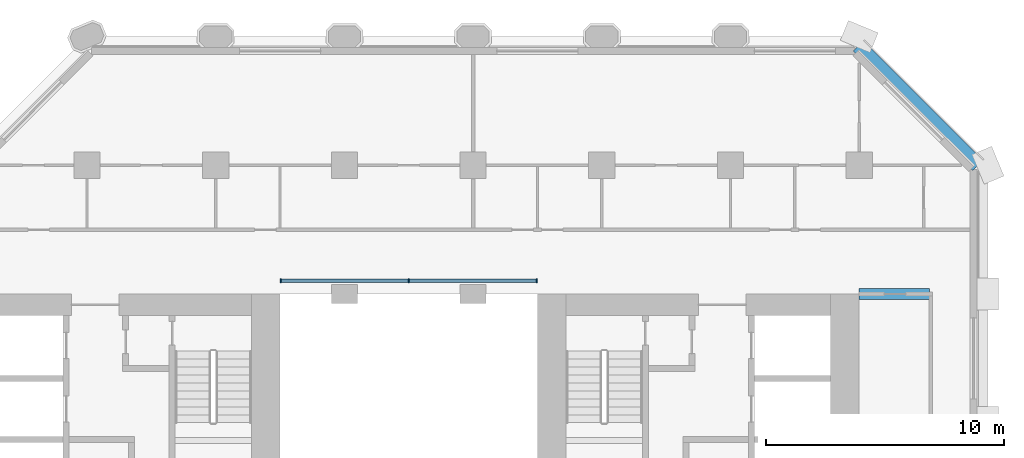
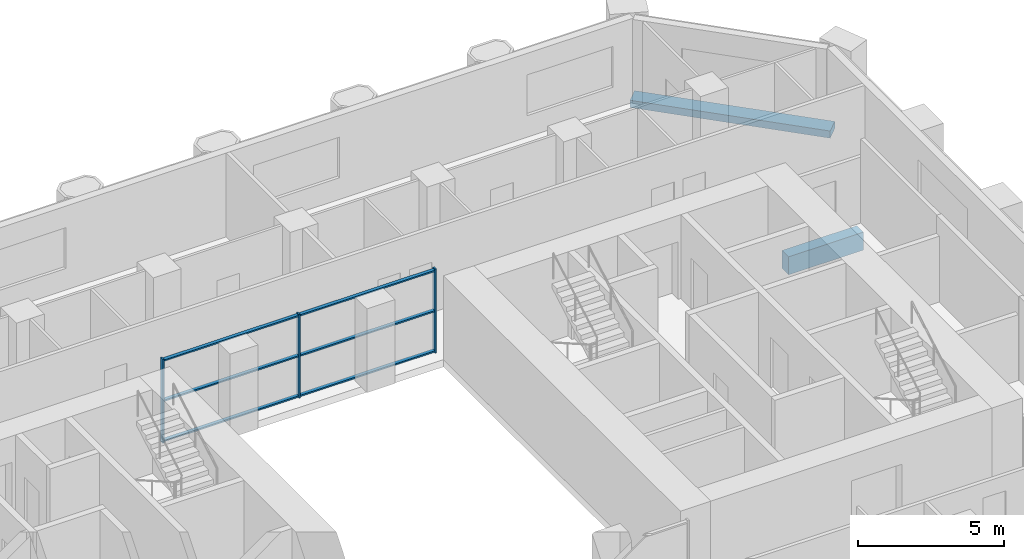
# One storey, part 6 of 13: 9 members, 2 beams, 1 element without a shape of its own.
"""IFC4 building model written with IfcOpenShell, lengths in metres."""

from ifc_helpers import new_model, si_unit, direction, frame, origin, origin_2d, place, context, subcontext, project, spatial, rectangle, extrude, material, material_profile, profile_set, type_object, element, aggregate, save


model = new_model("IFC4")

# Units and contexts
model_context = context("Model", 3, precision=1e-05, world=origin(), true_north=direction((0.0, 1.0)))
body_context = subcontext(model_context, "Body", "Model", "MODEL_VIEW")
ifc_project = project(units=[si_unit("LENGTHUNIT", "METRE"), si_unit("AREAUNIT", "SQUARE_METRE"), si_unit("VOLUMEUNIT", "CUBIC_METRE"), si_unit("PLANEANGLEUNIT", "RADIAN"), si_unit("MASSUNIT", "GRAM", prefix="KILO")], contexts=[model_context])

# Site, building, storey
site_placement = place(None, origin())
site = spatial("IfcSite", under=ifc_project, at=site_placement, CompositionType="ELEMENT")
building_placement = place(site_placement, origin())
building = spatial("IfcBuilding", under=site, at=building_placement, Name="Tabaq Tower and Sports Hall", CompositionType="ELEMENT")
storey_placement = place(building_placement, frame((0.0, 0.0, 41.199951171875)))
storey = spatial("IfcBuildingStorey", under=building, at=storey_placement, Name="L08", CompositionType="ELEMENT", Elevation=41.199951171875)

# Curtain wall, members
ifc_material_1 = material(Name="Aluminium alloy 6063-T6 framed glazing", Category="aluminium")
curtain_wall_type = type_object("IfcCurtainWallType", Name="CW1 curtain wall", PredefinedType="USERDEFINED", material=ifc_material_1)
curtain_wall_placement = place(storey_placement, origin())
curtain_wall = element("IfcCurtainWall", 1, at=curtain_wall_placement, inside=storey, type_object=curtain_wall_type, Name="Atrium glazing L08 N", ObjectType="ATRIUM ENCLOSURE", PredefinedType="USERDEFINED")
ifc_material_2 = material(Name="Aluminium alloy 6063-T6", Category="aluminium")
ifc_material_profile_1 = material_profile(ifc_material_2, rectangle(XDim=0.159912109375, YDim=0.06005859375, at=origin_2d()), Name="MULLION 160x60")
ifc_profile_set_1 = profile_set([ifc_material_profile_1], Name="Aluminium alloy 6063-T6")
member_type_1 = type_object("IfcMemberType", Name="CW1 mullion 160x60", PredefinedType="MULLION", material=ifc_profile_set_1)
member_1_placement = place(storey_placement, frame((18.929931640625, 32.949951171875, 0.0), z_axis=(0.0, 0.0, 1.0), x_axis=(0.0, 1.0, 0.0)))
member_1 = element("IfcMember", 2, at=member_1_placement, type_object=member_type_1, Name="CW1 mullion 1", PredefinedType="MULLION", context=body_context, shape_type="SweptSolid", body=[
    extrude(rectangle(XDim=0.159912109375, YDim=0.06005859375, at=origin_2d()), origin(), (0.0, 0.0, 1.0), 3.5),
])
member_2_placement = place(storey_placement, frame((24.300048828125, 32.949951171875, 0.0), z_axis=(0.0, 0.0, 1.0), x_axis=(0.0, 1.0, 0.0)))
member_2 = element("IfcMember", 3, at=member_2_placement, type_object=member_type_1, Name="CW1 mullion 2", PredefinedType="MULLION", context=body_context, shape_type="SweptSolid", body=[
    extrude(rectangle(XDim=0.159912109375, YDim=0.06005859375, at=origin_2d()), origin(), (0.0, 0.0, 1.0), 3.5),
])
member_3_placement = place(storey_placement, frame((29.669921875, 32.949951171875, 0.0), z_axis=(0.0, 0.0, 1.0), x_axis=(0.0, 1.0, 0.0)))
member_3 = element("IfcMember", 4, at=member_3_placement, type_object=member_type_1, Name="CW1 mullion 3", PredefinedType="MULLION", context=body_context, shape_type="SweptSolid", body=[
    extrude(rectangle(XDim=0.159912109375, YDim=0.06005859375, at=origin_2d()), origin(), (0.0, 0.0, 1.0), 3.5),
])
ifc_material_3 = material(Name="Aluminium alloy 6063-T6", Category="aluminium")
ifc_material_profile_2 = material_profile(ifc_material_3, rectangle(XDim=0.139892578125, YDim=0.06005859375, at=origin_2d()), Name="TRANSOM 140x60")
ifc_profile_set_2 = profile_set([ifc_material_profile_2], Name="Aluminium alloy 6063-T6")
member_type_2 = type_object("IfcMemberType", Name="CW1 transom 140x60", PredefinedType="USERDEFINED", material=ifc_profile_set_2)
member_4_placement = place(storey_placement, frame((18.9599609375, 32.949951171875, 0.070068359375), z_axis=(1.0, 0.0, 0.0), x_axis=(0.0, 1.0, 0.0)))
member_4 = element("IfcMember", 5, at=member_4_placement, type_object=member_type_2, Name="CW1 transom 1.1", ObjectType="TRANSOM", PredefinedType="USERDEFINED", context=body_context, shape_type="SweptSolid", body=[
    extrude(rectangle(XDim=0.139892578125, YDim=0.06005859375, at=origin_2d()), origin(), (0.0, 0.0, 1.0), 5.31005859375),
])
member_5_placement = place(storey_placement, frame((18.9599609375, 32.949951171875, 1.75), z_axis=(1.0, 0.0, 0.0), x_axis=(0.0, 1.0, 0.0)))
member_5 = element("IfcMember", 6, at=member_5_placement, type_object=member_type_2, Name="CW1 transom 1.2", ObjectType="TRANSOM", PredefinedType="USERDEFINED", context=body_context, shape_type="SweptSolid", body=[
    extrude(rectangle(XDim=0.139892578125, YDim=0.06005859375, at=origin_2d()), origin(), (0.0, 0.0, 1.0), 5.31005859375),
])
member_6_placement = place(storey_placement, frame((18.9599609375, 32.949951171875, 3.429931640625), z_axis=(1.0, 0.0, 0.0), x_axis=(0.0, 1.0, 0.0)))
member_6 = element("IfcMember", 7, at=member_6_placement, type_object=member_type_2, Name="CW1 transom 1.3", ObjectType="TRANSOM", PredefinedType="USERDEFINED", context=body_context, shape_type="SweptSolid", body=[
    extrude(rectangle(XDim=0.139892578125, YDim=0.06005859375, at=origin_2d()), origin(), (0.0, 0.0, 1.0), 5.31005859375),
])
member_7_placement = place(storey_placement, frame((24.330078125, 32.949951171875, 0.070068359375), z_axis=(1.0, 0.0, 0.0), x_axis=(0.0, 1.0, 0.0)))
member_7 = element("IfcMember", 8, at=member_7_placement, type_object=member_type_2, Name="CW1 transom 2.1", ObjectType="TRANSOM", PredefinedType="USERDEFINED", context=body_context, shape_type="SweptSolid", body=[
    extrude(rectangle(XDim=0.139892578125, YDim=0.06005859375, at=origin_2d()), origin(), (0.0, 0.0, 1.0), 5.309814453125),
])
member_8_placement = place(storey_placement, frame((24.330078125, 32.949951171875, 1.75), z_axis=(1.0, 0.0, 0.0), x_axis=(0.0, 1.0, 0.0)))
member_8 = element("IfcMember", 9, at=member_8_placement, type_object=member_type_2, Name="CW1 transom 2.2", ObjectType="TRANSOM", PredefinedType="USERDEFINED", context=body_context, shape_type="SweptSolid", body=[
    extrude(rectangle(XDim=0.139892578125, YDim=0.06005859375, at=origin_2d()), origin(), (0.0, 0.0, 1.0), 5.309814453125),
])
member_9_placement = place(storey_placement, frame((24.330078125, 32.949951171875, 3.429931640625), z_axis=(1.0, 0.0, 0.0), x_axis=(0.0, 1.0, 0.0)))
member_9 = element("IfcMember", 10, at=member_9_placement, type_object=member_type_2, Name="CW1 transom 2.3", ObjectType="TRANSOM", PredefinedType="USERDEFINED", context=body_context, shape_type="SweptSolid", body=[
    extrude(rectangle(XDim=0.139892578125, YDim=0.06005859375, at=origin_2d()), origin(), (0.0, 0.0, 1.0), 5.309814453125),
])
aggregate(curtain_wall, [member_1, member_2, member_3, member_4, member_5, member_6, member_7, member_8, member_9])

# Beams
ifc_material_4 = material(Name="Concrete C40/50", Category="concrete")
ifc_material_profile_3 = material_profile(ifc_material_4, rectangle(XDim=0.449951171875, YDim=0.75, at=origin_2d()), Name="CB 450x750")
ifc_profile_set_3 = profile_set([ifc_material_profile_3], Name="Concrete C40/50")
beam_type_1 = type_object("IfcBeamType", Name="PT CANTILEVER BEAM CB 450x750 C40/50", PredefinedType="BEAM", material=ifc_profile_set_3)
beam_1_placement = place(storey_placement, frame((46.14990234375, 32.39990234375, -0.675048828125), z_axis=(-1.0, 0.0, 0.0), x_axis=(0.0, -1.0, 0.0)))
element("IfcBeam", 11, at=beam_1_placement, inside=storey, type_object=beam_type_1, Name="Cantilever Beam L08 E6 span 1", PredefinedType="BEAM", context=body_context, shape_type="SweptSolid", body=[
    extrude(rectangle(XDim=0.449951171875, YDim=0.75, at=origin_2d()), origin(), (0.0, 0.0, 1.0), 2.949951171875),
])
ifc_material_5 = material(Name="Concrete C40/50", Category="concrete")
ifc_material_profile_4 = material_profile(ifc_material_5, rectangle(XDim=0.60009765625, YDim=0.300048828125, at=origin_2d()), Name="EB 600x300")
ifc_profile_set_4 = profile_set([ifc_material_profile_4], Name="Concrete C40/50")
beam_type_2 = type_object("IfcBeamType", Name="PT EDGE BEAM EB 600x300 C40/50", PredefinedType="SPANDREL", material=ifc_profile_set_4)
beam_2_placement = place(storey_placement, frame((48.1767578125, 37.799072265625, -0.14990234375), z_axis=(-0.707124002701, 0.707089559252, 0.0), x_axis=(-0.707089559252, -0.707124002701, 0.0)))
element("IfcBeam", 12, at=beam_2_placement, inside=storey, type_object=beam_type_2, Name="Edge Beam L08 4", PredefinedType="SPANDREL", context=body_context, shape_type="SweptSolid", body=[
    extrude(rectangle(XDim=0.60009765625, YDim=0.300048828125, at=origin_2d()), origin(), (0.0, 0.0, 1.0), 7.088134765625),
])

save(model, "model.ifc")
